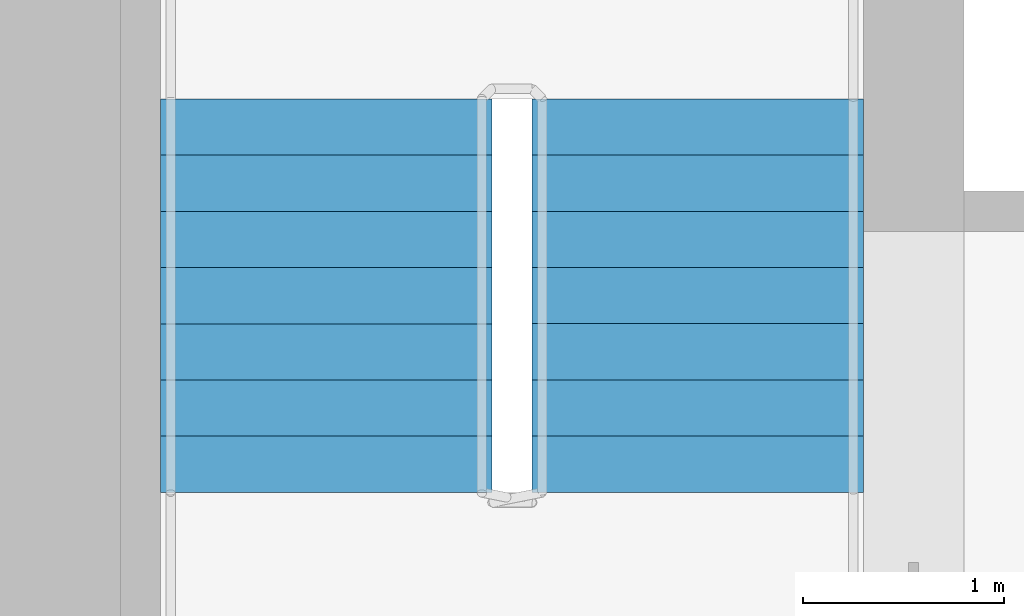
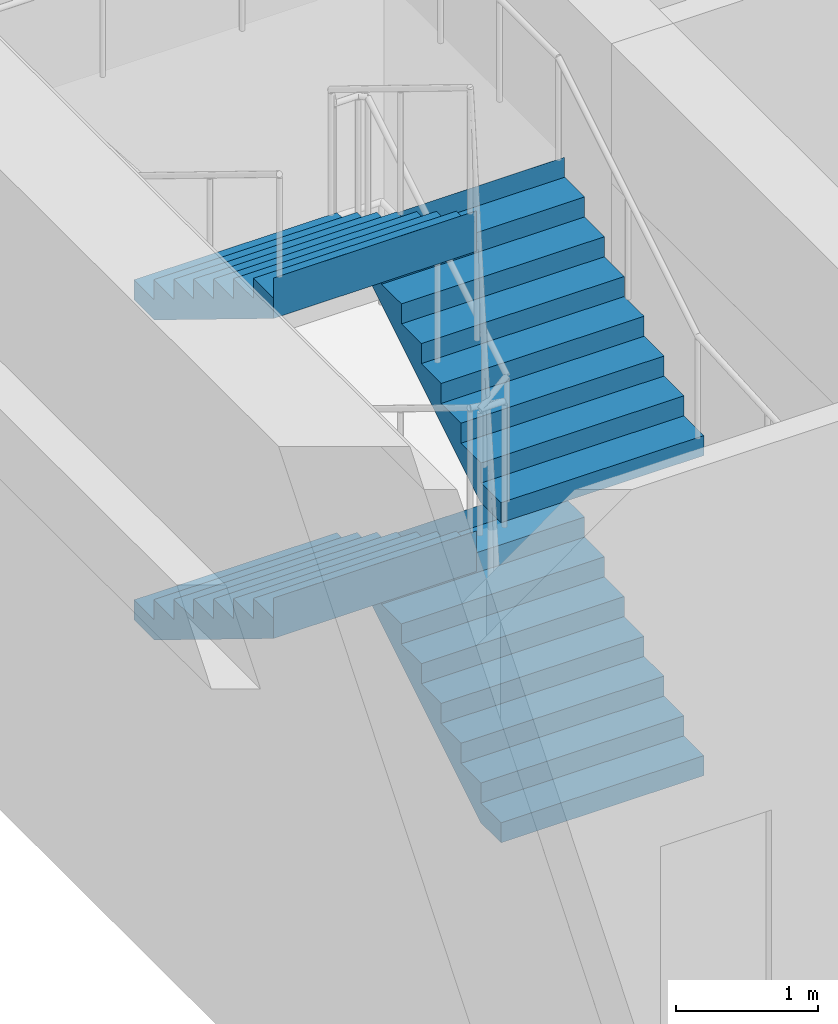
# One storey, part 7 of 9: 4 stair flights, 1 element without a shape of its own.
"""IFC4 building model written with IfcOpenShell, lengths in metres."""

from ifc_helpers import new_model, si_unit, direction, frame, origin, place, context, subcontext, project, spatial, polyline, outline, extrude, material, type_object, element, aggregate, save


model = new_model("IFC4")

# Units and contexts
model_context = context("Model", 3, precision=1e-05, world=origin(), true_north=direction((0.0, 1.0)))
body_context = subcontext(model_context, "Body", "Model", "MODEL_VIEW")
ifc_project = project(units=[si_unit("LENGTHUNIT", "METRE"), si_unit("AREAUNIT", "SQUARE_METRE"), si_unit("VOLUMEUNIT", "CUBIC_METRE"), si_unit("PLANEANGLEUNIT", "RADIAN"), si_unit("MASSUNIT", "GRAM", prefix="KILO")], contexts=[model_context])

# Site, building, storey
site_placement = place(None, origin())
site = spatial("IfcSite", under=ifc_project, at=site_placement, CompositionType="ELEMENT")
building_placement = place(site_placement, origin())
building = spatial("IfcBuilding", under=site, at=building_placement, Name="Tamorin Gate", CompositionType="ELEMENT")
storey_placement = place(building_placement, frame((0.0, 0.0, 214.199951171875)))
storey = spatial("IfcBuildingStorey", under=building, at=storey_placement, Name="L53", CompositionType="ELEMENT", Elevation=214.199951171875)

# Stair, stair flights
ifc_material = material(Name="Concrete C40/50", Category="concrete")
stair_type = type_object("IfcStairType", Name="Exit stair", PredefinedType="HALF_TURN_STAIR", material=ifc_material)
stair_placement = place(storey_placement, origin())
stair = element("IfcStair", 1, at=stair_placement, inside=storey, type_object=stair_type, Name="L53 stair ST2", PredefinedType="HALF_TURN_STAIR")
stair_flight_type = type_object("IfcStairFlightType", Name="Exit stair flight", PredefinedType="STRAIGHT", material=ifc_material)
stair_flight_1_placement = place(storey_placement, frame((33.675048828125, 77.0, 0.0), z_axis=(0.0, 0.0, 1.0), x_axis=(0.0, 1.0, 0.0)))
stair_flight_1 = element("IfcStairFlight", 2, at=stair_flight_1_placement, type_object=stair_flight_type, Name="ST2 flight 1", NumberOfRisers=8, NumberOfTreads=7, PredefinedType="STRAIGHT", RiserHeight=0.171875, TreadLength=0.28, context=body_context, shape_type="SweptSolid", body=[
    extrude(outline(polyline([(-0.00048828125, 0.0), (-0.00048828125, 0.001708984375), (-0.00048828125, 0.00341796875), (-0.00048828125, 0.005126953125), (-0.00048828125, 0.0068359375), (-0.00048828125, 0.008544921875), (-0.00048828125, 0.01025390625), (-0.00048828125, 0.011962890625), (-0.00048828125, 0.013671875), (-0.00048828125, 0.015380859375), (-0.00048828125, 0.01708984375), (-0.00048828125, 0.018798828125), (-0.00048828125, 0.0205078125), (-0.00048828125, 0.022216796875), (-0.00048828125, 0.02392578125), (-0.00048828125, 0.025634765625), (-0.00048828125, 0.02734375), (-0.00048828125, 0.02880859375), (-0.00048828125, 0.030517578125), (-0.00048828125, 0.0322265625), (-0.00048828125, 0.033935546875), (-0.00048828125, 0.03564453125), (-0.00048828125, 0.037353515625), (-0.00048828125, 0.0390625), (-0.00048828125, 0.040771484375), (-0.00048828125, 0.04248046875), (-0.00048828125, 0.044189453125), (-0.00048828125, 0.0458984375), (-0.00048828125, 0.047607421875), (-0.00048828125, 0.04931640625), (-0.00048828125, 0.051025390625), (-0.00048828125, 0.052734375), (-0.00048828125, 0.054443359375), (-0.00048828125, 0.05615234375), (-0.00048828125, 0.057861328125), (-0.00048828125, 0.0595703125), (-0.00048828125, 0.061279296875), (-0.00048828125, 0.06298828125), (-0.00048828125, 0.064697265625), (-0.00048828125, 0.06640625), (-0.00048828125, 0.068115234375), (-0.00048828125, 0.06982421875), (-0.00048828125, 0.071533203125), (-0.00048828125, 0.0732421875), (-0.00048828125, 0.074951171875), (-0.00048828125, 0.07666015625), (-0.00048828125, 0.078369140625), (-0.00048828125, 0.080078125), (-0.00048828125, 0.081787109375), (-0.00048828125, 0.08349609375), (-0.00048828125, 0.085205078125), (-0.00048828125, 0.086669921875), (-0.00048828125, 0.08837890625), (-0.00048828125, 0.090087890625), (-0.00048828125, 0.091796875), (-0.00048828125, 0.093505859375), (-0.00048828125, 0.09521484375), (-0.00048828125, 0.096923828125), (-0.00048828125, 0.0986328125), (-0.00048828125, 0.100341796875), (-0.00048828125, 0.10205078125), (-0.00048828125, 0.103759765625), (-0.00048828125, 0.10546875), (-0.00048828125, 0.107177734375), (-0.00048828125, 0.10888671875), (-0.00048828125, 0.110595703125), (-0.00048828125, 0.1123046875), (-0.00048828125, 0.114013671875), (-0.00048828125, 0.11572265625), (-0.00048828125, 0.117431640625), (-0.00048828125, 0.119140625), (-0.00048828125, 0.120849609375), (-0.00048828125, 0.12255859375), (-0.00048828125, 0.124267578125), (-0.00048828125, 0.1259765625), (-0.00048828125, 0.127685546875), (-0.00048828125, 0.12939453125), (-0.00048828125, 0.131103515625), (-0.00048828125, 0.1328125), (-0.00048828125, 0.134521484375), (-0.00048828125, 0.13623046875), (-0.00048828125, 0.137939453125), (-0.00048828125, 0.1396484375), (-0.00048828125, 0.141357421875), (-0.00048828125, 0.14306640625), (-0.00048828125, 0.14453125), (-0.00048828125, 0.146240234375), (-0.00048828125, 0.14794921875), (-0.00048828125, 0.149658203125), (-0.00048828125, 0.1513671875), (-0.00048828125, 0.153076171875), (-0.00048828125, 0.15478515625), (-0.00048828125, 0.156494140625), (-0.00048828125, 0.158203125), (-0.00048828125, 0.159912109375), (-0.00048828125, 0.16162109375), (-0.00048828125, 0.163330078125), (-0.00048828125, 0.1650390625), (-0.00048828125, 0.166748046875), (-0.00048828125, 0.16845703125), (-0.00048828125, 0.170166015625), (-0.00048828125, 0.171875), (0.280029296875, 0.171875), (0.280029296875, 0.34375), (0.56005859375, 0.34375), (0.56005859375, 0.515625), (0.840087890625, 0.515625), (0.840087890625, 0.6875), (1.1201171875, 0.6875), (1.1201171875, 0.859375), (1.39990234375, 0.859375), (1.39990234375, 1.03125), (1.679931640625, 1.03125), (1.679931640625, 1.203125), (1.9599609375, 1.203125), (1.9599609375, 1.375), (1.96044921875, 1.375), (1.96044921875, 1.37158203125), (1.96044921875, 1.3681640625), (1.96044921875, 1.36474609375), (1.96044921875, 1.361328125), (1.96044921875, 1.357666015625), (1.96044921875, 1.354248046875), (1.96044921875, 1.350830078125), (1.96044921875, 1.347412109375), (1.96044921875, 1.343994140625), (1.96044921875, 1.340576171875), (1.96044921875, 1.337158203125), (1.96044921875, 1.333740234375), (1.96044921875, 1.330322265625), (1.96044921875, 1.326904296875), (1.96044921875, 1.3232421875), (1.96044921875, 1.31982421875), (1.96044921875, 1.31640625), (1.96044921875, 1.31298828125), (1.96044921875, 1.3095703125), (1.96044921875, 1.30615234375), (1.96044921875, 1.302734375), (1.96044921875, 1.29931640625), (1.96044921875, 1.2958984375), (1.96044921875, 1.29248046875), (1.96044921875, 1.288818359375), (1.96044921875, 1.285400390625), (1.96044921875, 1.281982421875), (1.96044921875, 1.278564453125), (1.96044921875, 1.275146484375), (1.96044921875, 1.271728515625), (1.96044921875, 1.268310546875), (1.96044921875, 1.264892578125), (1.96044921875, 1.261474609375), (1.96044921875, 1.2578125), (1.96044921875, 1.25439453125), (1.96044921875, 1.2509765625), (1.96044921875, 1.24755859375), (1.96044921875, 1.244140625), (1.96044921875, 1.24072265625), (1.96044921875, 1.2373046875), (1.96044921875, 1.23388671875), (1.96044921875, 1.23046875), (1.96044921875, 1.22705078125), (1.96044921875, 1.223388671875), (1.96044921875, 1.219970703125), (1.96044921875, 1.216552734375), (1.96044921875, 1.213134765625), (1.96044921875, 1.209716796875), (1.96044921875, 1.206298828125), (1.96044921875, 1.202880859375), (1.96044921875, 1.199462890625), (1.96044921875, 1.196044921875), (1.96044921875, 1.192626953125), (1.96044921875, 1.18896484375), (1.96044921875, 1.185546875), (1.96044921875, 1.18212890625), (1.96044921875, 1.1787109375), (1.96044921875, 1.17529296875), (1.96044921875, 1.171875), (1.96044921875, 1.16845703125), (1.96044921875, 1.1650390625), (1.96044921875, 1.16162109375), (1.96044921875, 1.157958984375), (1.96044921875, 1.154541015625), (1.96044921875, 1.151123046875), (1.96044921875, 1.147705078125), (1.96044921875, 1.144287109375), (1.96044921875, 1.140869140625), (1.96044921875, 1.137451171875), (1.96044921875, 1.134033203125), (1.96044921875, 1.130615234375), (1.96044921875, 1.127197265625), (1.96044921875, 1.12353515625), (1.96044921875, 1.1201171875), (1.96044921875, 1.11669921875), (1.96044921875, 1.11328125), (1.96044921875, 1.10986328125), (1.96044921875, 1.1064453125), (1.96044921875, 1.10302734375), (1.96044921875, 1.099609375), (1.96044921875, 1.09619140625), (1.96044921875, 1.0927734375), (1.96044921875, 1.089111328125), (1.96044921875, 1.085693359375), (1.96044921875, 1.082275390625), (1.96044921875, 1.078857421875), (1.96044921875, 1.075439453125), (1.96044921875, 1.072021484375), (1.96044921875, 1.068603515625), (1.96044921875, 1.065185546875), (1.96044921875, 1.061767578125), (1.96044921875, 1.05810546875), (1.96044921875, 1.0546875), (1.96044921875, 1.05126953125), (1.96044921875, 1.0478515625), (1.96044921875, 1.04443359375), (1.96044921875, 1.041015625), (1.96044921875, 1.03759765625), (1.96044921875, 1.0341796875), (1.96044921875, 1.03076171875), (1.96044921875, 1.02734375), (1.9599609375, 1.02734375), (0.28662109375, 0.0), (-0.00048828125, 0.0)])), frame((0.0, 0.824951171875, 0.0), z_axis=(0.0, -1.0, 0.0), x_axis=(1.0, 0.0, 0.0)), (0.0, 0.0, 1.0), 1.64990234375),
])
stair_flight_2_placement = place(storey_placement, frame((31.824951171875, 78.9599609375, 1.375), z_axis=(0.0, 0.0, 1.0), x_axis=(0.0, -1.0, 0.0)))
stair_flight_2 = element("IfcStairFlight", 3, at=stair_flight_2_placement, type_object=stair_flight_type, Name="ST2 flight 2", NumberOfRisers=8, NumberOfTreads=7, PredefinedType="STRAIGHT", RiserHeight=0.171875, TreadLength=0.28, context=body_context, shape_type="SweptSolid", body=[
    extrude(outline(polyline([(-0.00048828125, 0.0), (-0.00048828125, 0.001708984375), (-0.00048828125, 0.00341796875), (-0.00048828125, 0.005126953125), (-0.00048828125, 0.0068359375), (-0.00048828125, 0.008544921875), (-0.00048828125, 0.01025390625), (-0.00048828125, 0.011962890625), (-0.00048828125, 0.013671875), (-0.00048828125, 0.015380859375), (-0.00048828125, 0.01708984375), (-0.00048828125, 0.018798828125), (-0.00048828125, 0.0205078125), (-0.00048828125, 0.022216796875), (-0.00048828125, 0.02392578125), (-0.00048828125, 0.025634765625), (-0.00048828125, 0.02734375), (-0.00048828125, 0.02880859375), (-0.00048828125, 0.030517578125), (-0.00048828125, 0.0322265625), (-0.00048828125, 0.033935546875), (-0.00048828125, 0.03564453125), (-0.00048828125, 0.037353515625), (-0.00048828125, 0.0390625), (-0.00048828125, 0.040771484375), (-0.00048828125, 0.04248046875), (-0.00048828125, 0.044189453125), (-0.00048828125, 0.0458984375), (-0.00048828125, 0.047607421875), (-0.00048828125, 0.04931640625), (-0.00048828125, 0.051025390625), (-0.00048828125, 0.052734375), (-0.00048828125, 0.054443359375), (-0.00048828125, 0.05615234375), (-0.00048828125, 0.057861328125), (-0.00048828125, 0.0595703125), (-0.00048828125, 0.061279296875), (-0.00048828125, 0.06298828125), (-0.00048828125, 0.064697265625), (-0.00048828125, 0.06640625), (-0.00048828125, 0.068115234375), (-0.00048828125, 0.06982421875), (-0.00048828125, 0.071533203125), (-0.00048828125, 0.0732421875), (-0.00048828125, 0.074951171875), (-0.00048828125, 0.07666015625), (-0.00048828125, 0.078369140625), (-0.00048828125, 0.080078125), (-0.00048828125, 0.081787109375), (-0.00048828125, 0.08349609375), (-0.00048828125, 0.085205078125), (-0.00048828125, 0.086669921875), (-0.00048828125, 0.08837890625), (-0.00048828125, 0.090087890625), (-0.00048828125, 0.091796875), (-0.00048828125, 0.093505859375), (-0.00048828125, 0.09521484375), (-0.00048828125, 0.096923828125), (-0.00048828125, 0.0986328125), (-0.00048828125, 0.100341796875), (-0.00048828125, 0.10205078125), (-0.00048828125, 0.103759765625), (-0.00048828125, 0.10546875), (-0.00048828125, 0.107177734375), (-0.00048828125, 0.10888671875), (-0.00048828125, 0.110595703125), (-0.00048828125, 0.1123046875), (-0.00048828125, 0.114013671875), (-0.00048828125, 0.11572265625), (-0.00048828125, 0.117431640625), (-0.00048828125, 0.119140625), (-0.00048828125, 0.120849609375), (-0.00048828125, 0.12255859375), (-0.00048828125, 0.124267578125), (-0.00048828125, 0.1259765625), (-0.00048828125, 0.127685546875), (-0.00048828125, 0.12939453125), (-0.00048828125, 0.131103515625), (-0.00048828125, 0.1328125), (-0.00048828125, 0.134521484375), (-0.00048828125, 0.13623046875), (-0.00048828125, 0.137939453125), (-0.00048828125, 0.1396484375), (-0.00048828125, 0.141357421875), (-0.00048828125, 0.14306640625), (-0.00048828125, 0.14453125), (-0.00048828125, 0.146240234375), (-0.00048828125, 0.14794921875), (-0.00048828125, 0.149658203125), (-0.00048828125, 0.1513671875), (-0.00048828125, 0.153076171875), (-0.00048828125, 0.15478515625), (-0.00048828125, 0.156494140625), (-0.00048828125, 0.158203125), (-0.00048828125, 0.159912109375), (-0.00048828125, 0.16162109375), (-0.00048828125, 0.163330078125), (-0.00048828125, 0.1650390625), (-0.00048828125, 0.166748046875), (-0.00048828125, 0.16845703125), (-0.00048828125, 0.170166015625), (-0.00048828125, 0.171875), (0.280029296875, 0.171875), (0.280029296875, 0.34375), (0.56005859375, 0.34375), (0.56005859375, 0.515625), (0.840087890625, 0.515625), (0.840087890625, 0.6875), (1.1201171875, 0.6875), (1.1201171875, 0.859375), (1.39990234375, 0.859375), (1.39990234375, 1.03125), (1.679931640625, 1.03125), (1.679931640625, 1.203125), (1.9599609375, 1.203125), (1.9599609375, 1.375), (1.96044921875, 1.375), (1.96044921875, 1.37158203125), (1.96044921875, 1.3681640625), (1.96044921875, 1.36474609375), (1.96044921875, 1.361328125), (1.96044921875, 1.357666015625), (1.96044921875, 1.354248046875), (1.96044921875, 1.350830078125), (1.96044921875, 1.347412109375), (1.96044921875, 1.343994140625), (1.96044921875, 1.340576171875), (1.96044921875, 1.337158203125), (1.96044921875, 1.333740234375), (1.96044921875, 1.330322265625), (1.96044921875, 1.326904296875), (1.96044921875, 1.3232421875), (1.96044921875, 1.31982421875), (1.96044921875, 1.31640625), (1.96044921875, 1.31298828125), (1.96044921875, 1.3095703125), (1.96044921875, 1.30615234375), (1.96044921875, 1.302734375), (1.96044921875, 1.29931640625), (1.96044921875, 1.2958984375), (1.96044921875, 1.29248046875), (1.96044921875, 1.288818359375), (1.96044921875, 1.285400390625), (1.96044921875, 1.281982421875), (1.96044921875, 1.278564453125), (1.96044921875, 1.275146484375), (1.96044921875, 1.271728515625), (1.96044921875, 1.268310546875), (1.96044921875, 1.264892578125), (1.96044921875, 1.261474609375), (1.96044921875, 1.2578125), (1.96044921875, 1.25439453125), (1.96044921875, 1.2509765625), (1.96044921875, 1.24755859375), (1.96044921875, 1.244140625), (1.96044921875, 1.24072265625), (1.96044921875, 1.2373046875), (1.96044921875, 1.23388671875), (1.96044921875, 1.23046875), (1.96044921875, 1.22705078125), (1.96044921875, 1.223388671875), (1.96044921875, 1.219970703125), (1.96044921875, 1.216552734375), (1.96044921875, 1.213134765625), (1.96044921875, 1.209716796875), (1.96044921875, 1.206298828125), (1.96044921875, 1.202880859375), (1.96044921875, 1.199462890625), (1.96044921875, 1.196044921875), (1.96044921875, 1.192626953125), (1.96044921875, 1.18896484375), (1.96044921875, 1.185546875), (1.96044921875, 1.18212890625), (1.96044921875, 1.1787109375), (1.96044921875, 1.17529296875), (1.96044921875, 1.171875), (1.96044921875, 1.16845703125), (1.96044921875, 1.1650390625), (1.96044921875, 1.16162109375), (1.96044921875, 1.157958984375), (1.96044921875, 1.154541015625), (1.96044921875, 1.151123046875), (1.96044921875, 1.147705078125), (1.96044921875, 1.144287109375), (1.96044921875, 1.140869140625), (1.96044921875, 1.137451171875), (1.96044921875, 1.134033203125), (1.96044921875, 1.130615234375), (1.96044921875, 1.127197265625), (1.96044921875, 1.12353515625), (1.96044921875, 1.1201171875), (1.96044921875, 1.11669921875), (1.96044921875, 1.11328125), (1.96044921875, 1.10986328125), (1.96044921875, 1.1064453125), (1.96044921875, 1.10302734375), (1.96044921875, 1.099609375), (1.96044921875, 1.09619140625), (1.96044921875, 1.0927734375), (1.96044921875, 1.089111328125), (1.96044921875, 1.085693359375), (1.96044921875, 1.082275390625), (1.96044921875, 1.078857421875), (1.96044921875, 1.075439453125), (1.96044921875, 1.072021484375), (1.96044921875, 1.068603515625), (1.96044921875, 1.065185546875), (1.96044921875, 1.061767578125), (1.96044921875, 1.05810546875), (1.96044921875, 1.0546875), (1.96044921875, 1.05126953125), (1.96044921875, 1.0478515625), (1.96044921875, 1.04443359375), (1.96044921875, 1.041015625), (1.96044921875, 1.03759765625), (1.96044921875, 1.0341796875), (1.96044921875, 1.03076171875), (1.96044921875, 1.02734375), (1.9599609375, 1.02734375), (0.28662109375, 0.0), (-0.00048828125, 0.0)])), frame((0.0, 0.824951171875, 0.0), z_axis=(0.0, -1.0, 0.0), x_axis=(1.0, 0.0, 0.0)), (0.0, 0.0, 1.0), 1.64990234375),
])
stair_flight_3_placement = place(storey_placement, frame((33.675048828125, 77.0, 2.75), z_axis=(0.0, 0.0, 1.0), x_axis=(0.0, 1.0, 0.0)))
stair_flight_3 = element("IfcStairFlight", 4, at=stair_flight_3_placement, type_object=stair_flight_type, Name="ST2 flight 3", NumberOfRisers=8, NumberOfTreads=7, PredefinedType="STRAIGHT", RiserHeight=0.171875, TreadLength=0.28, context=body_context, shape_type="SweptSolid", body=[
    extrude(outline(polyline([(-0.00048828125, 0.0), (-0.00048828125, 0.001708984375), (-0.00048828125, 0.00341796875), (-0.00048828125, 0.005126953125), (-0.00048828125, 0.0068359375), (-0.00048828125, 0.008544921875), (-0.00048828125, 0.01025390625), (-0.00048828125, 0.011962890625), (-0.00048828125, 0.013671875), (-0.00048828125, 0.015380859375), (-0.00048828125, 0.01708984375), (-0.00048828125, 0.018798828125), (-0.00048828125, 0.0205078125), (-0.00048828125, 0.022216796875), (-0.00048828125, 0.02392578125), (-0.00048828125, 0.025634765625), (-0.00048828125, 0.02734375), (-0.00048828125, 0.02880859375), (-0.00048828125, 0.030517578125), (-0.00048828125, 0.0322265625), (-0.00048828125, 0.033935546875), (-0.00048828125, 0.03564453125), (-0.00048828125, 0.037353515625), (-0.00048828125, 0.0390625), (-0.00048828125, 0.040771484375), (-0.00048828125, 0.04248046875), (-0.00048828125, 0.044189453125), (-0.00048828125, 0.0458984375), (-0.00048828125, 0.047607421875), (-0.00048828125, 0.04931640625), (-0.00048828125, 0.051025390625), (-0.00048828125, 0.052734375), (-0.00048828125, 0.054443359375), (-0.00048828125, 0.05615234375), (-0.00048828125, 0.057861328125), (-0.00048828125, 0.0595703125), (-0.00048828125, 0.061279296875), (-0.00048828125, 0.06298828125), (-0.00048828125, 0.064697265625), (-0.00048828125, 0.06640625), (-0.00048828125, 0.068115234375), (-0.00048828125, 0.06982421875), (-0.00048828125, 0.071533203125), (-0.00048828125, 0.0732421875), (-0.00048828125, 0.074951171875), (-0.00048828125, 0.07666015625), (-0.00048828125, 0.078369140625), (-0.00048828125, 0.080078125), (-0.00048828125, 0.081787109375), (-0.00048828125, 0.08349609375), (-0.00048828125, 0.085205078125), (-0.00048828125, 0.086669921875), (-0.00048828125, 0.08837890625), (-0.00048828125, 0.090087890625), (-0.00048828125, 0.091796875), (-0.00048828125, 0.093505859375), (-0.00048828125, 0.09521484375), (-0.00048828125, 0.096923828125), (-0.00048828125, 0.0986328125), (-0.00048828125, 0.100341796875), (-0.00048828125, 0.10205078125), (-0.00048828125, 0.103759765625), (-0.00048828125, 0.10546875), (-0.00048828125, 0.107177734375), (-0.00048828125, 0.10888671875), (-0.00048828125, 0.110595703125), (-0.00048828125, 0.1123046875), (-0.00048828125, 0.114013671875), (-0.00048828125, 0.11572265625), (-0.00048828125, 0.117431640625), (-0.00048828125, 0.119140625), (-0.00048828125, 0.120849609375), (-0.00048828125, 0.12255859375), (-0.00048828125, 0.124267578125), (-0.00048828125, 0.1259765625), (-0.00048828125, 0.127685546875), (-0.00048828125, 0.12939453125), (-0.00048828125, 0.131103515625), (-0.00048828125, 0.1328125), (-0.00048828125, 0.134521484375), (-0.00048828125, 0.13623046875), (-0.00048828125, 0.137939453125), (-0.00048828125, 0.1396484375), (-0.00048828125, 0.141357421875), (-0.00048828125, 0.14306640625), (-0.00048828125, 0.14453125), (-0.00048828125, 0.146240234375), (-0.00048828125, 0.14794921875), (-0.00048828125, 0.149658203125), (-0.00048828125, 0.1513671875), (-0.00048828125, 0.153076171875), (-0.00048828125, 0.15478515625), (-0.00048828125, 0.156494140625), (-0.00048828125, 0.158203125), (-0.00048828125, 0.159912109375), (-0.00048828125, 0.16162109375), (-0.00048828125, 0.163330078125), (-0.00048828125, 0.1650390625), (-0.00048828125, 0.166748046875), (-0.00048828125, 0.16845703125), (-0.00048828125, 0.170166015625), (-0.00048828125, 0.171875), (0.280029296875, 0.171875), (0.280029296875, 0.34375), (0.56005859375, 0.34375), (0.56005859375, 0.515625), (0.840087890625, 0.515625), (0.840087890625, 0.6875), (1.1201171875, 0.6875), (1.1201171875, 0.859375), (1.39990234375, 0.859375), (1.39990234375, 1.03125), (1.679931640625, 1.03125), (1.679931640625, 1.203125), (1.9599609375, 1.203125), (1.9599609375, 1.375), (1.96044921875, 1.375), (1.96044921875, 1.37158203125), (1.96044921875, 1.3681640625), (1.96044921875, 1.36474609375), (1.96044921875, 1.361328125), (1.96044921875, 1.357666015625), (1.96044921875, 1.354248046875), (1.96044921875, 1.350830078125), (1.96044921875, 1.347412109375), (1.96044921875, 1.343994140625), (1.96044921875, 1.340576171875), (1.96044921875, 1.337158203125), (1.96044921875, 1.333740234375), (1.96044921875, 1.330322265625), (1.96044921875, 1.326904296875), (1.96044921875, 1.3232421875), (1.96044921875, 1.31982421875), (1.96044921875, 1.31640625), (1.96044921875, 1.31298828125), (1.96044921875, 1.3095703125), (1.96044921875, 1.30615234375), (1.96044921875, 1.302734375), (1.96044921875, 1.29931640625), (1.96044921875, 1.2958984375), (1.96044921875, 1.29248046875), (1.96044921875, 1.288818359375), (1.96044921875, 1.285400390625), (1.96044921875, 1.281982421875), (1.96044921875, 1.278564453125), (1.96044921875, 1.275146484375), (1.96044921875, 1.271728515625), (1.96044921875, 1.268310546875), (1.96044921875, 1.264892578125), (1.96044921875, 1.261474609375), (1.96044921875, 1.2578125), (1.96044921875, 1.25439453125), (1.96044921875, 1.2509765625), (1.96044921875, 1.24755859375), (1.96044921875, 1.244140625), (1.96044921875, 1.24072265625), (1.96044921875, 1.2373046875), (1.96044921875, 1.23388671875), (1.96044921875, 1.23046875), (1.96044921875, 1.22705078125), (1.96044921875, 1.223388671875), (1.96044921875, 1.219970703125), (1.96044921875, 1.216552734375), (1.96044921875, 1.213134765625), (1.96044921875, 1.209716796875), (1.96044921875, 1.206298828125), (1.96044921875, 1.202880859375), (1.96044921875, 1.199462890625), (1.96044921875, 1.196044921875), (1.96044921875, 1.192626953125), (1.96044921875, 1.18896484375), (1.96044921875, 1.185546875), (1.96044921875, 1.18212890625), (1.96044921875, 1.1787109375), (1.96044921875, 1.17529296875), (1.96044921875, 1.171875), (1.96044921875, 1.16845703125), (1.96044921875, 1.1650390625), (1.96044921875, 1.16162109375), (1.96044921875, 1.157958984375), (1.96044921875, 1.154541015625), (1.96044921875, 1.151123046875), (1.96044921875, 1.147705078125), (1.96044921875, 1.144287109375), (1.96044921875, 1.140869140625), (1.96044921875, 1.137451171875), (1.96044921875, 1.134033203125), (1.96044921875, 1.130615234375), (1.96044921875, 1.127197265625), (1.96044921875, 1.12353515625), (1.96044921875, 1.1201171875), (1.96044921875, 1.11669921875), (1.96044921875, 1.11328125), (1.96044921875, 1.10986328125), (1.96044921875, 1.1064453125), (1.96044921875, 1.10302734375), (1.96044921875, 1.099609375), (1.96044921875, 1.09619140625), (1.96044921875, 1.0927734375), (1.96044921875, 1.089111328125), (1.96044921875, 1.085693359375), (1.96044921875, 1.082275390625), (1.96044921875, 1.078857421875), (1.96044921875, 1.075439453125), (1.96044921875, 1.072021484375), (1.96044921875, 1.068603515625), (1.96044921875, 1.065185546875), (1.96044921875, 1.061767578125), (1.96044921875, 1.05810546875), (1.96044921875, 1.0546875), (1.96044921875, 1.05126953125), (1.96044921875, 1.0478515625), (1.96044921875, 1.04443359375), (1.96044921875, 1.041015625), (1.96044921875, 1.03759765625), (1.96044921875, 1.0341796875), (1.96044921875, 1.03076171875), (1.96044921875, 1.02734375), (1.9599609375, 1.02734375), (0.28662109375, 0.0), (-0.00048828125, 0.0)])), frame((0.0, 0.824951171875, 0.0), z_axis=(0.0, -1.0, 0.0), x_axis=(1.0, 0.0, 0.0)), (0.0, 0.0, 1.0), 1.64990234375),
])
stair_flight_4_placement = place(storey_placement, frame((31.824951171875, 78.9599609375, 4.125), z_axis=(0.0, 0.0, 1.0), x_axis=(0.0, -1.0, 0.0)))
stair_flight_4 = element("IfcStairFlight", 5, at=stair_flight_4_placement, type_object=stair_flight_type, Name="ST2 flight 4", NumberOfRisers=8, NumberOfTreads=7, PredefinedType="STRAIGHT", RiserHeight=0.171875, TreadLength=0.28, context=body_context, shape_type="SweptSolid", body=[
    extrude(outline(polyline([(-0.00048828125, 0.0), (-0.00048828125, 0.001708984375), (-0.00048828125, 0.00341796875), (-0.00048828125, 0.005126953125), (-0.00048828125, 0.0068359375), (-0.00048828125, 0.008544921875), (-0.00048828125, 0.01025390625), (-0.00048828125, 0.011962890625), (-0.00048828125, 0.013671875), (-0.00048828125, 0.015380859375), (-0.00048828125, 0.01708984375), (-0.00048828125, 0.018798828125), (-0.00048828125, 0.0205078125), (-0.00048828125, 0.022216796875), (-0.00048828125, 0.02392578125), (-0.00048828125, 0.025634765625), (-0.00048828125, 0.02734375), (-0.00048828125, 0.02880859375), (-0.00048828125, 0.030517578125), (-0.00048828125, 0.0322265625), (-0.00048828125, 0.033935546875), (-0.00048828125, 0.03564453125), (-0.00048828125, 0.037353515625), (-0.00048828125, 0.0390625), (-0.00048828125, 0.040771484375), (-0.00048828125, 0.04248046875), (-0.00048828125, 0.044189453125), (-0.00048828125, 0.0458984375), (-0.00048828125, 0.047607421875), (-0.00048828125, 0.04931640625), (-0.00048828125, 0.051025390625), (-0.00048828125, 0.052734375), (-0.00048828125, 0.054443359375), (-0.00048828125, 0.05615234375), (-0.00048828125, 0.057861328125), (-0.00048828125, 0.0595703125), (-0.00048828125, 0.061279296875), (-0.00048828125, 0.06298828125), (-0.00048828125, 0.064697265625), (-0.00048828125, 0.06640625), (-0.00048828125, 0.068115234375), (-0.00048828125, 0.06982421875), (-0.00048828125, 0.071533203125), (-0.00048828125, 0.0732421875), (-0.00048828125, 0.074951171875), (-0.00048828125, 0.07666015625), (-0.00048828125, 0.078369140625), (-0.00048828125, 0.080078125), (-0.00048828125, 0.081787109375), (-0.00048828125, 0.08349609375), (-0.00048828125, 0.085205078125), (-0.00048828125, 0.086669921875), (-0.00048828125, 0.08837890625), (-0.00048828125, 0.090087890625), (-0.00048828125, 0.091796875), (-0.00048828125, 0.093505859375), (-0.00048828125, 0.09521484375), (-0.00048828125, 0.096923828125), (-0.00048828125, 0.0986328125), (-0.00048828125, 0.100341796875), (-0.00048828125, 0.10205078125), (-0.00048828125, 0.103759765625), (-0.00048828125, 0.10546875), (-0.00048828125, 0.107177734375), (-0.00048828125, 0.10888671875), (-0.00048828125, 0.110595703125), (-0.00048828125, 0.1123046875), (-0.00048828125, 0.114013671875), (-0.00048828125, 0.11572265625), (-0.00048828125, 0.117431640625), (-0.00048828125, 0.119140625), (-0.00048828125, 0.120849609375), (-0.00048828125, 0.12255859375), (-0.00048828125, 0.124267578125), (-0.00048828125, 0.1259765625), (-0.00048828125, 0.127685546875), (-0.00048828125, 0.12939453125), (-0.00048828125, 0.131103515625), (-0.00048828125, 0.1328125), (-0.00048828125, 0.134521484375), (-0.00048828125, 0.13623046875), (-0.00048828125, 0.137939453125), (-0.00048828125, 0.1396484375), (-0.00048828125, 0.141357421875), (-0.00048828125, 0.14306640625), (-0.00048828125, 0.14453125), (-0.00048828125, 0.146240234375), (-0.00048828125, 0.14794921875), (-0.00048828125, 0.149658203125), (-0.00048828125, 0.1513671875), (-0.00048828125, 0.153076171875), (-0.00048828125, 0.15478515625), (-0.00048828125, 0.156494140625), (-0.00048828125, 0.158203125), (-0.00048828125, 0.159912109375), (-0.00048828125, 0.16162109375), (-0.00048828125, 0.163330078125), (-0.00048828125, 0.1650390625), (-0.00048828125, 0.166748046875), (-0.00048828125, 0.16845703125), (-0.00048828125, 0.170166015625), (-0.00048828125, 0.171875), (0.280029296875, 0.171875), (0.280029296875, 0.34375), (0.56005859375, 0.34375), (0.56005859375, 0.515625), (0.840087890625, 0.515625), (0.840087890625, 0.6875), (1.1201171875, 0.6875), (1.1201171875, 0.859375), (1.39990234375, 0.859375), (1.39990234375, 1.03125), (1.679931640625, 1.03125), (1.679931640625, 1.203125), (1.9599609375, 1.203125), (1.9599609375, 1.375), (1.96044921875, 1.375), (1.96044921875, 1.37158203125), (1.96044921875, 1.3681640625), (1.96044921875, 1.36474609375), (1.96044921875, 1.361328125), (1.96044921875, 1.357666015625), (1.96044921875, 1.354248046875), (1.96044921875, 1.350830078125), (1.96044921875, 1.347412109375), (1.96044921875, 1.343994140625), (1.96044921875, 1.340576171875), (1.96044921875, 1.337158203125), (1.96044921875, 1.333740234375), (1.96044921875, 1.330322265625), (1.96044921875, 1.326904296875), (1.96044921875, 1.3232421875), (1.96044921875, 1.31982421875), (1.96044921875, 1.31640625), (1.96044921875, 1.31298828125), (1.96044921875, 1.3095703125), (1.96044921875, 1.30615234375), (1.96044921875, 1.302734375), (1.96044921875, 1.29931640625), (1.96044921875, 1.2958984375), (1.96044921875, 1.29248046875), (1.96044921875, 1.288818359375), (1.96044921875, 1.285400390625), (1.96044921875, 1.281982421875), (1.96044921875, 1.278564453125), (1.96044921875, 1.275146484375), (1.96044921875, 1.271728515625), (1.96044921875, 1.268310546875), (1.96044921875, 1.264892578125), (1.96044921875, 1.261474609375), (1.96044921875, 1.2578125), (1.96044921875, 1.25439453125), (1.96044921875, 1.2509765625), (1.96044921875, 1.24755859375), (1.96044921875, 1.244140625), (1.96044921875, 1.24072265625), (1.96044921875, 1.2373046875), (1.96044921875, 1.23388671875), (1.96044921875, 1.23046875), (1.96044921875, 1.22705078125), (1.96044921875, 1.223388671875), (1.96044921875, 1.219970703125), (1.96044921875, 1.216552734375), (1.96044921875, 1.213134765625), (1.96044921875, 1.209716796875), (1.96044921875, 1.206298828125), (1.96044921875, 1.202880859375), (1.96044921875, 1.199462890625), (1.96044921875, 1.196044921875), (1.96044921875, 1.192626953125), (1.96044921875, 1.18896484375), (1.96044921875, 1.185546875), (1.96044921875, 1.18212890625), (1.96044921875, 1.1787109375), (1.96044921875, 1.17529296875), (1.96044921875, 1.171875), (1.96044921875, 1.16845703125), (1.96044921875, 1.1650390625), (1.96044921875, 1.16162109375), (1.96044921875, 1.157958984375), (1.96044921875, 1.154541015625), (1.96044921875, 1.151123046875), (1.96044921875, 1.147705078125), (1.96044921875, 1.144287109375), (1.96044921875, 1.140869140625), (1.96044921875, 1.137451171875), (1.96044921875, 1.134033203125), (1.96044921875, 1.130615234375), (1.96044921875, 1.127197265625), (1.96044921875, 1.12353515625), (1.96044921875, 1.1201171875), (1.96044921875, 1.11669921875), (1.96044921875, 1.11328125), (1.96044921875, 1.10986328125), (1.96044921875, 1.1064453125), (1.96044921875, 1.10302734375), (1.96044921875, 1.099609375), (1.96044921875, 1.09619140625), (1.96044921875, 1.0927734375), (1.96044921875, 1.089111328125), (1.96044921875, 1.085693359375), (1.96044921875, 1.082275390625), (1.96044921875, 1.078857421875), (1.96044921875, 1.075439453125), (1.96044921875, 1.072021484375), (1.96044921875, 1.068603515625), (1.96044921875, 1.065185546875), (1.96044921875, 1.061767578125), (1.96044921875, 1.05810546875), (1.96044921875, 1.0546875), (1.96044921875, 1.05126953125), (1.96044921875, 1.0478515625), (1.96044921875, 1.04443359375), (1.96044921875, 1.041015625), (1.96044921875, 1.03759765625), (1.96044921875, 1.0341796875), (1.96044921875, 1.03076171875), (1.96044921875, 1.02734375), (1.9599609375, 1.02734375), (0.28662109375, 0.0), (-0.00048828125, 0.0)])), frame((0.0, 0.824951171875, 0.0), z_axis=(0.0, -1.0, 0.0), x_axis=(1.0, 0.0, 0.0)), (0.0, 0.0, 1.0), 1.64990234375),
])
aggregate(stair, [stair_flight_1, stair_flight_2, stair_flight_3, stair_flight_4])

save(model, "model.ifc")
